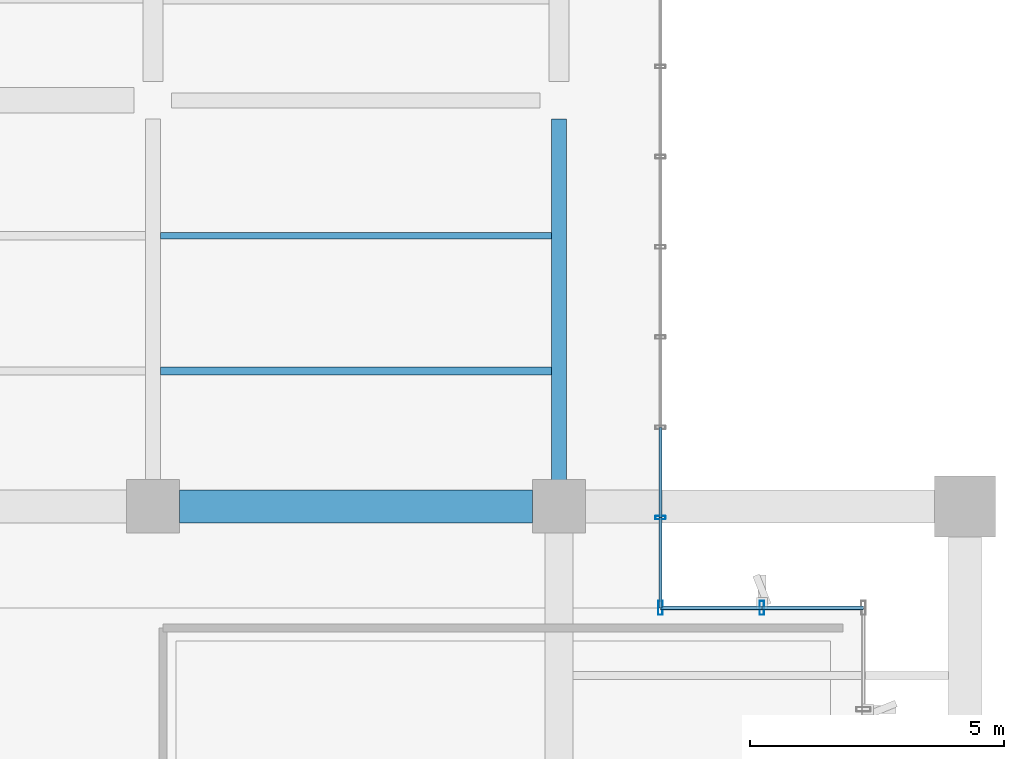
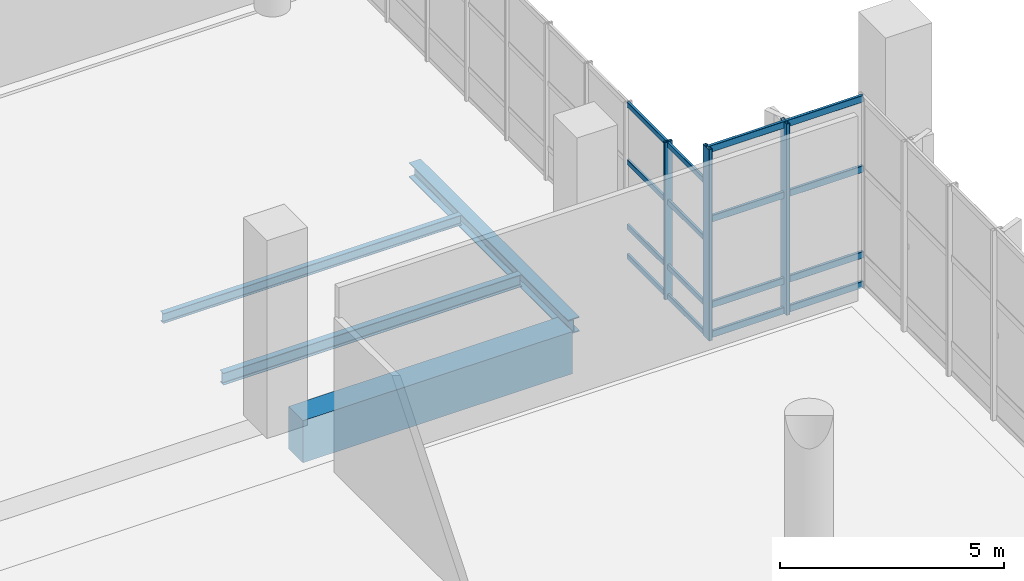
# One storey, part 89 of 176: 19 members, 4 beams, 2 elements without a shape of their own.
"""IFC4 building model written with IfcOpenShell, lengths in metres."""

from ifc_helpers import new_model, si_unit, direction, frame, origin, origin_2d, place, context, subcontext, project, spatial, rectangle, hollow_rectangle, i_section, extrude, material, layer, layer_set, material_profile, profile_set, type_object, element, aggregate, save


model = new_model("IFC4")

# Units and contexts
model_context = context("Model", 3, precision=1e-05, world=origin(), true_north=direction((0.0, 1.0)))
body_context = subcontext(model_context, "Body", "Model", "MODEL_VIEW")
ifc_project = project(units=[si_unit("LENGTHUNIT", "METRE"), si_unit("AREAUNIT", "SQUARE_METRE"), si_unit("VOLUMEUNIT", "CUBIC_METRE"), si_unit("PLANEANGLEUNIT", "RADIAN"), si_unit("MASSUNIT", "GRAM", prefix="KILO")], contexts=[model_context])

# Site, building, storey
site_placement = place(None, origin())
site = spatial("IfcSite", under=ifc_project, at=site_placement, CompositionType="ELEMENT")
building_placement = place(site_placement, origin())
building = spatial("IfcBuilding", under=site, at=building_placement, Name="Khorjan Park Terminus", CompositionType="ELEMENT")
storey_placement = place(building_placement, frame((0.0, 0.0, 6.0)))
storey = spatial("IfcBuildingStorey", under=building, at=storey_placement, Name="L01", CompositionType="ELEMENT", Elevation=6.0)

# Beams
ifc_material_1 = material(Name="Steel S355", Category="steel")
ifc_material_profile_1 = material_profile(ifc_material_1, i_section(OverallWidth=0.3, OverallDepth=0.4, WebThickness=0.0135, FlangeThickness=0.024, FilletRadius=0.027, at=origin_2d()), Name="HEB 400")
ifc_profile_set_1 = profile_set([ifc_material_profile_1], Name="Steel S355")
beam_type_1 = type_object("IfcBeamType", Name="BM-HEB400", PredefinedType="BEAM", material=ifc_profile_set_1)
beam_1_placement = place(storey_placement, frame((128.0, 88.52, -0.54), z_axis=(0.0, 1.0, 0.0), x_axis=(-1.0, 0.0, 0.0)))
element("IfcBeam", 1, at=beam_1_placement, inside=storey, type_object=beam_type_1, Name="Primary floor girder SB-B40 (L01)", PredefinedType="BEAM", context=body_context, shape_type="SweptSolid", body=[
    extrude(i_section(OverallWidth=0.3, OverallDepth=0.4, WebThickness=0.0135, FlangeThickness=0.024, FilletRadius=0.027, at=origin_2d()), origin(), (0.0, 0.0, 1.0), 7.11),
])
ifc_material_profile_2 = material_profile(ifc_material_1, i_section(OverallWidth=0.135, OverallDepth=0.27, WebThickness=0.0066, FlangeThickness=0.0102, FilletRadius=0.015, at=origin_2d()), Name="IPE 270")
ifc_profile_set_2 = profile_set([ifc_material_profile_2], Name="Steel S355")
beam_type_2 = type_object("IfcBeamType", Name="JS-IPE270", PredefinedType="JOIST", material=ifc_profile_set_2)
beam_2_placement = place(storey_placement, frame((120.15, 93.3333, -0.475), z_axis=(1.0, 0.0, 0.0), x_axis=(0.0, 1.0, 0.0)))
element("IfcBeam", 2, at=beam_2_placement, inside=storey, type_object=beam_type_2, Name="Secondary composite floor joist SJ-27 (L01)", PredefinedType="JOIST", context=body_context, shape_type="SweptSolid", body=[
    extrude(i_section(OverallWidth=0.135, OverallDepth=0.27, WebThickness=0.0066, FlangeThickness=0.0102, FilletRadius=0.015, at=origin_2d()), origin(), (0.0, 0.0, 1.0), 7.7),
])
ifc_material_profile_3 = material_profile(ifc_material_1, i_section(OverallWidth=0.16, OverallDepth=0.33, WebThickness=0.0075, FlangeThickness=0.0115, FilletRadius=0.018, at=origin_2d()), Name="IPE 330")
ifc_profile_set_3 = profile_set([ifc_material_profile_3], Name="Steel S355")
beam_type_3 = type_object("IfcBeamType", Name="JS-IPE330", PredefinedType="JOIST", material=ifc_profile_set_3)
beam_3_placement = place(storey_placement, frame((120.15, 90.6667, -0.505), z_axis=(1.0, 0.0, 0.0), x_axis=(0.0, 1.0, 0.0)))
element("IfcBeam", 3, at=beam_3_placement, inside=storey, type_object=beam_type_3, Name="Secondary composite floor joist SJ-33 (L01)", PredefinedType="JOIST", context=body_context, shape_type="SweptSolid", body=[
    extrude(i_section(OverallWidth=0.16, OverallDepth=0.33, WebThickness=0.0075, FlangeThickness=0.0115, FilletRadius=0.018, at=origin_2d()), origin(), (0.0, 0.0, 1.0), 7.7),
])

# Curtain wall, member
ifc_material_2 = material(Name="Anodized Bronze Aluminium", Category="aluminium")
ifc_layer_1 = layer(ifc_material_2, 0.22)
ifc_layer_set_1 = layer_set([ifc_layer_1], Name="Anodized Bronze Aluminium")
curtain_wall_type_1 = type_object("IfcCurtainWallType", Name="CW-BRG-D", PredefinedType="NOTDEFINED", material=ifc_layer_set_1)
curtain_wall_1_placement = place(storey_placement, origin())
curtain_wall_1 = element("IfcCurtainWall", 4, at=curtain_wall_1_placement, inside=storey, type_object=curtain_wall_type_1, Name="Unitized curtain wall CW-D (CW-NKE-E-L01)", PredefinedType="NOTDEFINED")
ifc_material_profile_4 = material_profile(ifc_material_2, hollow_rectangle(XDim=0.07, YDim=0.2, WallThickness=0.005, InnerFilletRadius=0.005, OuterFilletRadius=0.01, at=origin_2d()), Name="ALM 70x200x5")
ifc_profile_set_4 = profile_set([ifc_material_profile_4], Name="Anodized Bronze Aluminium")
member_type_1 = type_object("IfcMemberType", Name="ML-ALM-200", PredefinedType="MULLION", material=ifc_profile_set_4)
member_1_placement = place(storey_placement, frame((130.0, 87.7778, -0.035), z_axis=(0.0, 0.0, 1.0), x_axis=(0.0, 1.0, 0.0)))
member_1 = element("IfcMember", 5, at=member_1_placement, type_object=member_type_1, Name="Curtain-wall mullion ML-20 (CW-NKE-E-L01-1)", PredefinedType="MULLION", context=body_context, shape_type="SweptSolid", body=[
    extrude(hollow_rectangle(XDim=0.07, YDim=0.2, WallThickness=0.005, InnerFilletRadius=0.005, OuterFilletRadius=0.01, at=origin_2d()), origin(), (0.0, 0.0, 1.0), 4.295),
])

# Curtain wall, members
ifc_layer_2 = layer(ifc_material_2, 0.22)
ifc_layer_set_2 = layer_set([ifc_layer_2], Name="Anodized Bronze Aluminium")
curtain_wall_type_2 = type_object("IfcCurtainWallType", Name="CW-CONC-A", PredefinedType="NOTDEFINED", material=ifc_layer_set_2)
curtain_wall_2_placement = place(storey_placement, origin())
curtain_wall_2 = element("IfcCurtainWall", 6, at=curtain_wall_2_placement, inside=storey, type_object=curtain_wall_type_2, Name="Unitized curtain wall CW-A (CW-V2-N-L01-08)", PredefinedType="NOTDEFINED")
ifc_material_profile_5 = material_profile(ifc_material_2, hollow_rectangle(XDim=0.09, YDim=0.28, WallThickness=0.006, InnerFilletRadius=0.006, OuterFilletRadius=0.012, at=origin_2d()), Name="ALM 90x280x6")
ifc_profile_set_5 = profile_set([ifc_material_profile_5], Name="Anodized Bronze Aluminium")
member_type_2 = type_object("IfcMemberType", Name="ML-ALM-280", PredefinedType="MULLION", material=ifc_profile_set_5)
member_2_placement = place(storey_placement, frame((132.0, 86.0, -0.035), z_axis=(0.0, 0.0, 1.0), x_axis=(-1.0, 0.0, 0.0)))
member_2 = element("IfcMember", 7, at=member_2_placement, type_object=member_type_2, Name="Curtain-wall mullion ML-28 (CW-V2-N-L01-08-1)", PredefinedType="MULLION", context=body_context, shape_type="SweptSolid", body=[
    extrude(hollow_rectangle(XDim=0.09, YDim=0.28, WallThickness=0.006, InnerFilletRadius=0.006, OuterFilletRadius=0.012, at=origin_2d()), origin(), (0.0, 0.0, 1.0), 5.22),
])
member_3_placement = place(storey_placement, frame((130.0, 86.0, -0.035), z_axis=(0.0, 0.0, 1.0), x_axis=(-1.0, 0.0, 0.0)))
member_3 = element("IfcMember", 8, at=member_3_placement, type_object=member_type_2, Name="Curtain-wall mullion ML-28 (CW-V2-N-L01-08-2)", PredefinedType="MULLION", context=body_context, shape_type="SweptSolid", body=[
    extrude(hollow_rectangle(XDim=0.09, YDim=0.28, WallThickness=0.006, InnerFilletRadius=0.006, OuterFilletRadius=0.012, at=origin_2d()), origin(), (0.0, 0.0, 1.0), 5.22),
])

# Beam
ifc_material_3 = material(Name="Concrete C50/60", Category="concrete")
ifc_material_profile_6 = material_profile(ifc_material_3, rectangle(XDim=0.65, YDim=1.15, at=origin_2d()), Name="RC 650x1150")
ifc_profile_set_6 = profile_set([ifc_material_profile_6], Name="Concrete C50/60")
beam_type_4 = type_object("IfcBeamType", Name="SP-RC650x1150", PredefinedType="SPANDREL", material=ifc_profile_set_6)
beam_4_placement = place(storey_placement, frame((120.52, 88.0, -0.575), z_axis=(1.0, 0.0, 0.0), x_axis=(0.0, 1.0, 0.0)))
element("IfcBeam", 9, at=beam_4_placement, inside=storey, type_object=beam_type_4, Name="Concourse lower colonnade ring beam SP-11 (L01-20)", PredefinedType="SPANDREL", context=body_context, shape_type="SweptSolid", body=[
    extrude(rectangle(XDim=0.65, YDim=1.15, at=origin_2d()), origin(), (0.0, 0.0, 1.0), 6.96),
])

# Member
ifc_material_profile_7 = material_profile(ifc_material_2, hollow_rectangle(XDim=0.065, YDim=0.14, WallThickness=0.004, InnerFilletRadius=0.004, OuterFilletRadius=0.008, at=origin_2d()), Name="ALT 65x140x4")
ifc_profile_set_7 = profile_set([ifc_material_profile_7], Name="Anodized Bronze Aluminium")
member_type_3 = type_object("IfcMemberType", Name="TR-ALT-140", PredefinedType="USERDEFINED", material=ifc_profile_set_7)
member_4_placement = place(storey_placement, frame((130.0, 86.0, 0.04), z_axis=(0.0, 1.0, 0.0), x_axis=(-1.0, 0.0, 0.0)))
member_4 = element("IfcMember", 10, at=member_4_placement, type_object=member_type_3, Name="Curtain-wall transom TR-14 (CW-NKE-E-L01-0-1)", ObjectType="TRANSOM", PredefinedType="USERDEFINED", context=body_context, shape_type="SweptSolid", body=[
    extrude(hollow_rectangle(XDim=0.065, YDim=0.14, WallThickness=0.004, InnerFilletRadius=0.004, OuterFilletRadius=0.008, at=origin_2d()), origin(), (0.0, 0.0, 1.0), 1.7778),
])

member_5_placement = place(storey_placement, frame((130.0, 86.0, 0.85), z_axis=(0.0, 1.0, 0.0), x_axis=(-1.0, 0.0, 0.0)))
member_5 = element("IfcMember", 11, at=member_5_placement, type_object=member_type_3, Name="Curtain-wall transom TR-14 (CW-NKE-E-L01-0-2)", ObjectType="TRANSOM", PredefinedType="USERDEFINED", context=body_context, shape_type="SweptSolid", body=[
    extrude(hollow_rectangle(XDim=0.065, YDim=0.14, WallThickness=0.004, InnerFilletRadius=0.004, OuterFilletRadius=0.008, at=origin_2d()), origin(), (0.0, 0.0, 1.0), 1.7778),
])

member_6_placement = place(storey_placement, frame((130.0, 86.0, 2.6195), z_axis=(0.0, 1.0, 0.0), x_axis=(-1.0, 0.0, 0.0)))
member_6 = element("IfcMember", 12, at=member_6_placement, type_object=member_type_3, Name="Curtain-wall transom TR-14 (CW-NKE-E-L01-0-3)", ObjectType="TRANSOM", PredefinedType="USERDEFINED", context=body_context, shape_type="SweptSolid", body=[
    extrude(hollow_rectangle(XDim=0.065, YDim=0.14, WallThickness=0.004, InnerFilletRadius=0.004, OuterFilletRadius=0.008, at=origin_2d()), origin(), (0.0, 0.0, 1.0), 1.7778),
])

member_7_placement = place(storey_placement, frame((130.0, 86.0, 4.185), z_axis=(0.0, 1.0, 0.0), x_axis=(-1.0, 0.0, 0.0)))
member_7 = element("IfcMember", 13, at=member_7_placement, type_object=member_type_3, Name="Curtain-wall transom TR-14 (CW-NKE-E-L01-0-4)", ObjectType="TRANSOM", PredefinedType="USERDEFINED", context=body_context, shape_type="SweptSolid", body=[
    extrude(hollow_rectangle(XDim=0.065, YDim=0.14, WallThickness=0.004, InnerFilletRadius=0.004, OuterFilletRadius=0.008, at=origin_2d()), origin(), (0.0, 0.0, 1.0), 1.7778),
])

member_8_placement = place(storey_placement, frame((130.0, 87.7778, 0.04), z_axis=(0.0, 1.0, 0.0), x_axis=(-1.0, 0.0, 0.0)))
member_8 = element("IfcMember", 14, at=member_8_placement, type_object=member_type_3, Name="Curtain-wall transom TR-14 (CW-NKE-E-L01-1-1)", ObjectType="TRANSOM", PredefinedType="USERDEFINED", context=body_context, shape_type="SweptSolid", body=[
    extrude(hollow_rectangle(XDim=0.065, YDim=0.14, WallThickness=0.004, InnerFilletRadius=0.004, OuterFilletRadius=0.008, at=origin_2d()), origin(), (0.0, 0.0, 1.0), 1.7778),
])

member_9_placement = place(storey_placement, frame((130.0, 87.7778, 0.85), z_axis=(0.0, 1.0, 0.0), x_axis=(-1.0, 0.0, 0.0)))
member_9 = element("IfcMember", 15, at=member_9_placement, type_object=member_type_3, Name="Curtain-wall transom TR-14 (CW-NKE-E-L01-1-2)", ObjectType="TRANSOM", PredefinedType="USERDEFINED", context=body_context, shape_type="SweptSolid", body=[
    extrude(hollow_rectangle(XDim=0.065, YDim=0.14, WallThickness=0.004, InnerFilletRadius=0.004, OuterFilletRadius=0.008, at=origin_2d()), origin(), (0.0, 0.0, 1.0), 1.7778),
])

member_10_placement = place(storey_placement, frame((130.0, 87.7778, 2.6195), z_axis=(0.0, 1.0, 0.0), x_axis=(-1.0, 0.0, 0.0)))
member_10 = element("IfcMember", 16, at=member_10_placement, type_object=member_type_3, Name="Curtain-wall transom TR-14 (CW-NKE-E-L01-1-3)", ObjectType="TRANSOM", PredefinedType="USERDEFINED", context=body_context, shape_type="SweptSolid", body=[
    extrude(hollow_rectangle(XDim=0.065, YDim=0.14, WallThickness=0.004, InnerFilletRadius=0.004, OuterFilletRadius=0.008, at=origin_2d()), origin(), (0.0, 0.0, 1.0), 1.7778),
])

member_11_placement = place(storey_placement, frame((130.0, 87.7778, 4.185), z_axis=(0.0, 1.0, 0.0), x_axis=(-1.0, 0.0, 0.0)))
member_11 = element("IfcMember", 17, at=member_11_placement, type_object=member_type_3, Name="Curtain-wall transom TR-14 (CW-NKE-E-L01-1-4)", ObjectType="TRANSOM", PredefinedType="USERDEFINED", context=body_context, shape_type="SweptSolid", body=[
    extrude(hollow_rectangle(XDim=0.065, YDim=0.14, WallThickness=0.004, InnerFilletRadius=0.004, OuterFilletRadius=0.008, at=origin_2d()), origin(), (0.0, 0.0, 1.0), 1.7778),
])

aggregate(curtain_wall_1, [member_1, member_4, member_5, member_6, member_7, member_8, member_9, member_10, member_11])

ifc_material_profile_8 = material_profile(ifc_material_2, hollow_rectangle(XDim=0.075, YDim=0.185, WallThickness=0.005, InnerFilletRadius=0.005, OuterFilletRadius=0.01, at=origin_2d()), Name="ALT 75x185x5")
ifc_profile_set_8 = profile_set([ifc_material_profile_8], Name="Anodized Bronze Aluminium")
member_type_4 = type_object("IfcMemberType", Name="TR-ALT-185", PredefinedType="USERDEFINED", material=ifc_profile_set_8)
member_12_placement = place(storey_placement, frame((134.0, 86.0, 0.04), z_axis=(-1.0, 0.0, 0.0), x_axis=(0.0, -1.0, 0.0)))
member_12 = element("IfcMember", 18, at=member_12_placement, type_object=member_type_4, Name="Curtain-wall transom TR-18 (CW-V2-N-L01-08-0-1)", ObjectType="TRANSOM", PredefinedType="USERDEFINED", context=body_context, shape_type="SweptSolid", body=[
    extrude(hollow_rectangle(XDim=0.075, YDim=0.185, WallThickness=0.005, InnerFilletRadius=0.005, OuterFilletRadius=0.01, at=origin_2d()), origin(), (0.0, 0.0, 1.0), 2.0),
])

member_13_placement = place(storey_placement, frame((134.0, 86.0, 0.85), z_axis=(-1.0, 0.0, 0.0), x_axis=(0.0, -1.0, 0.0)))
member_13 = element("IfcMember", 19, at=member_13_placement, type_object=member_type_4, Name="Curtain-wall transom TR-18 (CW-V2-N-L01-08-0-2)", ObjectType="TRANSOM", PredefinedType="USERDEFINED", context=body_context, shape_type="SweptSolid", body=[
    extrude(hollow_rectangle(XDim=0.075, YDim=0.185, WallThickness=0.005, InnerFilletRadius=0.005, OuterFilletRadius=0.01, at=origin_2d()), origin(), (0.0, 0.0, 1.0), 2.0),
])

member_14_placement = place(storey_placement, frame((134.0, 86.0, 3.193), z_axis=(-1.0, 0.0, 0.0), x_axis=(0.0, -1.0, 0.0)))
member_14 = element("IfcMember", 20, at=member_14_placement, type_object=member_type_4, Name="Curtain-wall transom TR-18 (CW-V2-N-L01-08-0-3)", ObjectType="TRANSOM", PredefinedType="USERDEFINED", context=body_context, shape_type="SweptSolid", body=[
    extrude(hollow_rectangle(XDim=0.075, YDim=0.185, WallThickness=0.005, InnerFilletRadius=0.005, OuterFilletRadius=0.01, at=origin_2d()), origin(), (0.0, 0.0, 1.0), 2.0),
])

member_15_placement = place(storey_placement, frame((134.0, 86.0, 5.11), z_axis=(-1.0, 0.0, 0.0), x_axis=(0.0, -1.0, 0.0)))
member_15 = element("IfcMember", 21, at=member_15_placement, type_object=member_type_4, Name="Curtain-wall transom TR-18 (CW-V2-N-L01-08-0-4)", ObjectType="TRANSOM", PredefinedType="USERDEFINED", context=body_context, shape_type="SweptSolid", body=[
    extrude(hollow_rectangle(XDim=0.075, YDim=0.185, WallThickness=0.005, InnerFilletRadius=0.005, OuterFilletRadius=0.01, at=origin_2d()), origin(), (0.0, 0.0, 1.0), 2.0),
])

member_16_placement = place(storey_placement, frame((132.0, 86.0, 0.04), z_axis=(-1.0, 0.0, 0.0), x_axis=(0.0, -1.0, 0.0)))
member_16 = element("IfcMember", 22, at=member_16_placement, type_object=member_type_4, Name="Curtain-wall transom TR-18 (CW-V2-N-L01-08-1-1)", ObjectType="TRANSOM", PredefinedType="USERDEFINED", context=body_context, shape_type="SweptSolid", body=[
    extrude(hollow_rectangle(XDim=0.075, YDim=0.185, WallThickness=0.005, InnerFilletRadius=0.005, OuterFilletRadius=0.01, at=origin_2d()), origin(), (0.0, 0.0, 1.0), 2.0),
])

member_17_placement = place(storey_placement, frame((132.0, 86.0, 0.85), z_axis=(-1.0, 0.0, 0.0), x_axis=(0.0, -1.0, 0.0)))
member_17 = element("IfcMember", 23, at=member_17_placement, type_object=member_type_4, Name="Curtain-wall transom TR-18 (CW-V2-N-L01-08-1-2)", ObjectType="TRANSOM", PredefinedType="USERDEFINED", context=body_context, shape_type="SweptSolid", body=[
    extrude(hollow_rectangle(XDim=0.075, YDim=0.185, WallThickness=0.005, InnerFilletRadius=0.005, OuterFilletRadius=0.01, at=origin_2d()), origin(), (0.0, 0.0, 1.0), 2.0),
])

member_18_placement = place(storey_placement, frame((132.0, 86.0, 3.193), z_axis=(-1.0, 0.0, 0.0), x_axis=(0.0, -1.0, 0.0)))
member_18 = element("IfcMember", 24, at=member_18_placement, type_object=member_type_4, Name="Curtain-wall transom TR-18 (CW-V2-N-L01-08-1-3)", ObjectType="TRANSOM", PredefinedType="USERDEFINED", context=body_context, shape_type="SweptSolid", body=[
    extrude(hollow_rectangle(XDim=0.075, YDim=0.185, WallThickness=0.005, InnerFilletRadius=0.005, OuterFilletRadius=0.01, at=origin_2d()), origin(), (0.0, 0.0, 1.0), 2.0),
])

member_19_placement = place(storey_placement, frame((132.0, 86.0, 5.11), z_axis=(-1.0, 0.0, 0.0), x_axis=(0.0, -1.0, 0.0)))
member_19 = element("IfcMember", 25, at=member_19_placement, type_object=member_type_4, Name="Curtain-wall transom TR-18 (CW-V2-N-L01-08-1-4)", ObjectType="TRANSOM", PredefinedType="USERDEFINED", context=body_context, shape_type="SweptSolid", body=[
    extrude(hollow_rectangle(XDim=0.075, YDim=0.185, WallThickness=0.005, InnerFilletRadius=0.005, OuterFilletRadius=0.01, at=origin_2d()), origin(), (0.0, 0.0, 1.0), 2.0),
])

aggregate(curtain_wall_2, [member_2, member_3, member_12, member_13, member_14, member_15, member_16, member_17, member_18, member_19])

save(model, "model.ifc")
